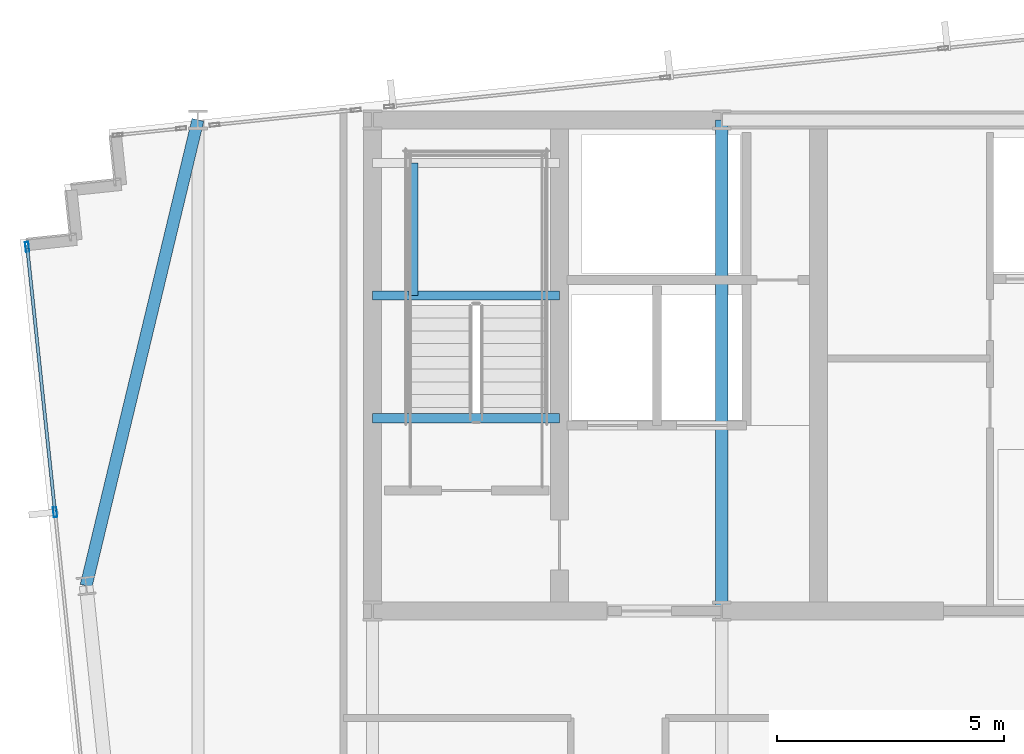
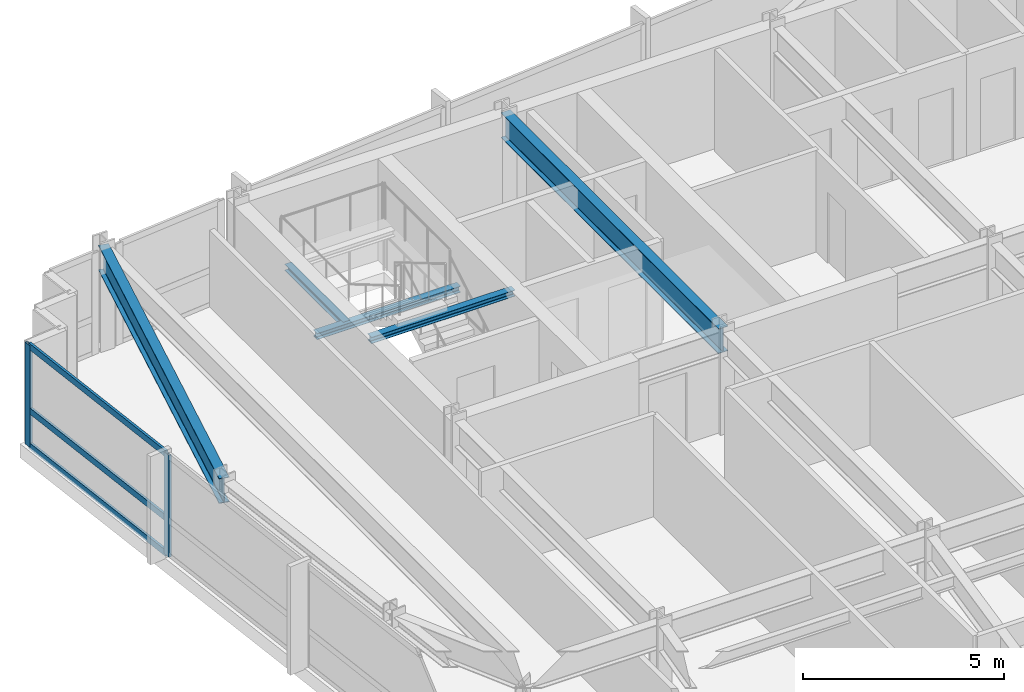
# One storey, part 8 of 26: 5 beams, 5 members, 1 element without a shape of its own.
"""IFC4 building model written with IfcOpenShell, lengths in metres."""

import ifcopenshell
import ifcopenshell.guid

model = None  # the IFC model being written
_history = None  # IfcOwnerHistory: only IFC2X3 demands one
_inside = {}  # id of a spatial element -> (the spatial element, [elements in it])
_under = {}  # id of a project, library or spatial element -> (it, [spatial elements below it])
_declared = {}  # id of a project -> (the project, [libraries it declares])
_typed = {}  # id of a type object -> (the type object, [elements of that type])
_made_of = {}  # id of a material, layer set ... -> (it, [elements and type objects made of it])


def new_model(schema):
    """Start an empty IFC model of exactly this schema.

    Asked for "IFC4X3", IfcOpenShell would pick the latest addendum, in which some entities
    have other attributes; the version numbers below select the first issue.
    IFC2X3 requires an IfcOwnerHistory on every rooted entity: one is made here for all.
    """
    global model, _history
    if schema == "IFC4X3":
        model = ifcopenshell.file(schema_version=(4, 3, 0, 0))
    else:
        model = ifcopenshell.file(schema=schema)
    _inside.clear()
    _under.clear()
    _declared.clear()
    _typed.clear()
    _made_of.clear()
    _history = None
    if model.schema == "IFC2X3":
        org = make("IfcOrganization", Name="unknown")
        user = make(
            "IfcPersonAndOrganization",
            ThePerson=make("IfcPerson", FamilyName="unknown"),
            TheOrganization=org,
        )
        app = make(
            "IfcApplication",
            ApplicationDeveloper=org,
            Version="unknown",
            ApplicationFullName="unknown",
            ApplicationIdentifier="unknown",
        )
        _history = make(
            "IfcOwnerHistory",
            OwningUser=user,
            OwningApplication=app,
            ChangeAction="ADDED",
            CreationDate=0,
        )
    return model


def make(cls, **values):
    """One entity of the class cls with the attributes given. An attribute that is None is left unset."""
    return model.create_entity(
        cls, **{name: value for name, value in values.items() if value is not None}
    )


def rooted(cls, **values):
    """An entity with a GlobalId (a new one), such as an element, a storey or a relation."""
    return make(cls, GlobalId=ifcopenshell.guid.new(), OwnerHistory=_history, **values)


def si_unit(unit_type, name, prefix=None):
    """IfcSIUnit, for example si_unit("LENGTHUNIT", "METRE", prefix="MILLI")."""
    return make("IfcSIUnit", UnitType=unit_type, Prefix=prefix, Name=name)


def assignment(units):
    """IfcUnitAssignment: the units of a project."""
    return None if units is None else make("IfcUnitAssignment", Units=units)


def point(xyz):
    """IfcCartesianPoint."""
    return None if xyz is None else make("IfcCartesianPoint", Coordinates=xyz)


def direction(xyz):
    """IfcDirection."""
    return None if xyz is None else make("IfcDirection", DirectionRatios=xyz)


def frame(location, z_axis=None, x_axis=None):
    """IfcAxis2Placement3D, a coordinate frame: its origin and axes. An axis left out is left unset."""
    return make(
        "IfcAxis2Placement3D",
        Location=point(location),
        Axis=direction(z_axis),
        RefDirection=direction(x_axis),
    )


def frame_2d(location, x_axis=None):
    """IfcAxis2Placement2D, a coordinate frame in the plane: its origin and x axis."""
    return make(
        "IfcAxis2Placement2D", Location=point(location), RefDirection=direction(x_axis)
    )


def origin():
    """The frame at (0, 0, 0) with its axes left unset."""
    return frame((0.0, 0.0, 0.0))


def origin_2d():
    """The frame at (0, 0) in the plane with its x axis left unset."""
    return frame_2d((0.0, 0.0))


def place(relative_to, where):
    """IfcLocalPlacement: puts the frame where relative to a parent placement (None: the world)."""
    return make(
        "IfcLocalPlacement", PlacementRelTo=relative_to, RelativePlacement=where
    )


def context(
    kind, dimensions, precision=None, world=None, true_north=None, identifier=None
):
    """IfcGeometricRepresentationContext, for example the 3D "Model" context."""
    return make(
        "IfcGeometricRepresentationContext",
        ContextIdentifier=identifier,
        ContextType=kind,
        CoordinateSpaceDimension=dimensions,
        Precision=precision,
        WorldCoordinateSystem=world,
        TrueNorth=true_north,
    )


def subcontext(parent, identifier, kind, view, scale=None):
    """IfcGeometricRepresentationSubContext, for example "Body" below "Model"."""
    return make(
        "IfcGeometricRepresentationSubContext",
        ContextIdentifier=identifier,
        ContextType=kind,
        ParentContext=parent,
        TargetScale=scale,
        TargetView=view,
    )


def project(units=None, contexts=None):
    """IfcProject with its units and contexts."""
    return rooted(
        "IfcProject",
        Name="project",
        RepresentationContexts=contexts,
        UnitsInContext=assignment(units),
    )


def spatial(cls, under=None, at=None, **own):
    """A site, building, storey or space (cls), placed at a placement, below another one or the project."""
    s = rooted(cls, ObjectPlacement=at, **own)
    if under is not None:
        _under.setdefault(under.id(), (under, []))[1].append(s)
    return s


def profile(cls, at=None, kind="AREA", **sizes):
    """A parametric profile (cls). Its sizes go by their IFC names, for example OverallWidth=200.0."""
    return make(cls, ProfileType=kind, Position=at, **sizes)


def hollow_rectangle(**sizes):
    """IfcRectangleHollowProfileDef."""
    return profile("IfcRectangleHollowProfileDef", **sizes)


def i_section(**sizes):
    """IfcIShapeProfileDef."""
    return profile("IfcIShapeProfileDef", **sizes)


def extrude(swept, where, along, depth):
    """IfcExtrudedAreaSolid: the profile swept, set in the frame where, extruded along a direction by depth."""
    return make(
        "IfcExtrudedAreaSolid",
        SweptArea=swept,
        Position=where,
        ExtrudedDirection=direction(along),
        Depth=depth,
    )


def shape(context_of_items, identifier, shape_type, items):
    """IfcShapeRepresentation: the items that make up one representation, for example the "Body"."""
    return make(
        "IfcShapeRepresentation",
        ContextOfItems=context_of_items,
        RepresentationIdentifier=identifier,
        RepresentationType=shape_type,
        Items=items,
    )


def material(Name=None, Category=None):
    """IfcMaterial."""
    return make("IfcMaterial", Name=Name, Category=Category)


def material_profile(
    of_material, cross_section, Name=None, Category=None, Priority=None
):
    """IfcMaterialProfile: a cross section and its material."""
    return make(
        "IfcMaterialProfile",
        Name=Name,
        Material=of_material,
        Profile=cross_section,
        Priority=Priority,
        Category=Category,
    )


def profile_set(profiles, Name=None, composite=None):
    """IfcMaterialProfileSet."""
    return make(
        "IfcMaterialProfileSet",
        Name=Name,
        MaterialProfiles=profiles,
        CompositeProfile=composite,
    )


def made_of(thing, what):
    """Note that an element or type object is made of a material, layer set ...; save() writes the relation."""
    if what is not None:
        _made_of.setdefault(what.id(), (what, []))[1].append(thing)
    return thing


def type_object(cls, material=None, **own):
    """A type object (cls), such as IfcWallType, which elements share."""
    return made_of(rooted(cls, **own), material)


def element(
    cls,
    number,
    at=None,
    inside=None,
    cuts=None,
    type_object=None,
    material=None,
    context=None,
    identifier="Body",
    shape_type=None,
    held_by="IfcProductDefinitionShape",
    body=None,
    shapes=None,
    **own,
):
    """One element of the class cls, such as IfcWall. Its Tag is "e" and its number.

    at: its placement. inside: the storey or other place that contains it. cuts: it is an
    opening in that element (IfcRelVoidsElement). A single representation is given by context,
    identifier, shape_type and body (its items); several are given by shapes. held_by: the class
    of the entity that holds the representations. save() writes the other relations.
    """
    e = rooted(cls, Tag="e%d" % number, ObjectPlacement=at, **own)
    if body is not None:
        shapes = [shape(context, identifier, shape_type, body)]
    if shapes is not None:
        e.Representation = make(held_by, Representations=shapes)
    if inside is not None:
        _inside.setdefault(inside.id(), (inside, []))[1].append(e)
    if cuts is not None:
        rooted(
            "IfcRelVoidsElement", RelatingBuildingElement=cuts, RelatedOpeningElement=e
        )
    if type_object is not None:
        _typed.setdefault(type_object.id(), (type_object, []))[1].append(e)
    return made_of(e, material)


def aggregate(whole, parts):
    """IfcRelAggregates: a whole, such as a stair, and the parts it consists of."""
    return rooted("IfcRelAggregates", RelatingObject=whole, RelatedObjects=parts)


def save(model, path):
    """Write the relations noted so far, then the file.

    IfcRelAggregates (storeys below a building ...), IfcRelContainedInSpatialStructure (elements
    in a storey), IfcRelDefinesByType, IfcRelAssociatesMaterial and IfcRelDeclares: one each for
    every whole, place, type object, material and project.
    """
    for whole, parts in _under.values():
        aggregate(whole, parts)
    for where, things in _inside.values():
        rooted(
            "IfcRelContainedInSpatialStructure",
            RelatedElements=things,
            RelatingStructure=where,
        )
    for kind, things in _typed.values():
        rooted("IfcRelDefinesByType", RelatedObjects=things, RelatingType=kind)
    for what, things in _made_of.values():
        rooted("IfcRelAssociatesMaterial", RelatedObjects=things, RelatingMaterial=what)
    for by, libraries in _declared.values():
        rooted("IfcRelDeclares", RelatingContext=by, RelatedDefinitions=libraries)
    model.write(path)


model = new_model("IFC4")

# Units and contexts
model_context = context("Model", 3, precision=1e-05, world=origin(), true_north=direction((0.0, 1.0)))
body_context = subcontext(model_context, "Body", "Model", "MODEL_VIEW")
ifc_project = project(units=[si_unit("LENGTHUNIT", "METRE"), si_unit("AREAUNIT", "SQUARE_METRE"), si_unit("VOLUMEUNIT", "CUBIC_METRE"), si_unit("PLANEANGLEUNIT", "RADIAN"), si_unit("MASSUNIT", "GRAM", prefix="KILO")], contexts=[model_context])

# Site, building, storey
site_placement = place(None, origin())
site = spatial("IfcSite", under=ifc_project, at=site_placement, CompositionType="ELEMENT")
building_placement = place(site_placement, origin())
building = spatial("IfcBuilding", under=site, at=building_placement, Name="Yelkora Congress Tower", CompositionType="ELEMENT")
storey_placement = place(building_placement, frame((0.0, 0.0, 204.5)))
storey = spatial("IfcBuildingStorey", under=building, at=storey_placement, Name="L56", CompositionType="ELEMENT", Elevation=204.5)

# Beams
ifc_material_1 = material(Name="Steel S355J2", Category="steel")
ifc_material_profile_1 = material_profile(ifc_material_1, i_section(OverallWidth=0.26708984375, OverallDepth=0.761962890625, WebThickness=0.014404296875, FlangeThickness=0.021484375, FilletRadius=0.01708984375, at=origin_2d()), Name="IPE 750x173")
ifc_profile_set_1 = profile_set([ifc_material_profile_1], Name="Steel S355J2")
beam_type_1 = type_object("IfcBeamType", Name="BM-GIRD-IPE750", PredefinedType="BEAM", material=ifc_profile_set_1)
beam_1_placement = place(storey_placement, frame((30.719970703125, 35.39990234375, 2.698974609375), z_axis=(0.0, 1.0, 0.0), x_axis=(-1.0, 0.0, 0.0)))
element("IfcBeam", 1, at=beam_1_placement, inside=storey, type_object=beam_type_1, Name="L56 Core Tie Girder MC-S2", PredefinedType="BEAM", context=body_context, shape_type="SweptSolid", body=[
    extrude(i_section(OverallWidth=0.26708984375, OverallDepth=0.761962890625, WebThickness=0.014404296875, FlangeThickness=0.021484375, FilletRadius=0.01708984375, at=origin_2d()), origin(), (0.0, 0.0, 1.0), 10.800048828125),
])
beam_2_placement = place(storey_placement, frame((16.7412109375, 35.95458984375, 2.698974609375), z_axis=(0.233359806768, 0.972390456856, 0.0), x_axis=(-0.972390456856, 0.233359806768, 0.0)))
element("IfcBeam", 2, at=beam_2_placement, inside=storey, type_object=beam_type_1, Name="L56 Primary Frame Girder W03", PredefinedType="BEAM", context=body_context, shape_type="SweptSolid", body=[
    extrude(i_section(OverallWidth=0.26708984375, OverallDepth=0.761962890625, WebThickness=0.014404296875, FlangeThickness=0.021484375, FilletRadius=0.01708984375, at=origin_2d()), origin(), (0.0, 0.0, 1.0), 10.536376953125),
])
ifc_material_profile_2 = material_profile(ifc_material_1, i_section(OverallWidth=0.199951171875, OverallDepth=0.18994140625, WebThickness=0.006591796875, FlangeThickness=0.010009765625, FilletRadius=0.01806640625, at=origin_2d()), Name="HEA 200")
ifc_profile_set_2 = profile_set([ifc_material_profile_2], Name="Steel S355J2")
beam_type_2 = type_object("IfcBeamType", Name="BM-LAND-HEA200", PredefinedType="BEAM", material=ifc_profile_set_2)
beam_3_placement = place(storey_placement, frame((23.0400390625, 42.340087890625, 1.334716796875), z_axis=(1.0, 0.0, 0.0), x_axis=(0.0, 1.0, 0.0)))
element("IfcBeam", 3, at=beam_3_placement, inside=storey, type_object=beam_type_2, Name="ST-01 L56 Landing Header Beam 1S", PredefinedType="BEAM", context=body_context, shape_type="SweptSolid", body=[
    extrude(i_section(OverallWidth=0.199951171875, OverallDepth=0.18994140625, WebThickness=0.006591796875, FlangeThickness=0.010009765625, FilletRadius=0.01806640625, at=origin_2d()), origin(), (0.0, 0.0, 1.0), 4.10986328125),
])
beam_4_placement = place(storey_placement, frame((23.93994140625, 42.340087890625, 1.334716796875), z_axis=(0.0, 1.0, 0.0), x_axis=(-1.0, 0.0, 0.0)))
element("IfcBeam", 4, at=beam_4_placement, inside=storey, type_object=beam_type_2, Name="ST-01 L56 Landing Trimmer Beam 1M", PredefinedType="BEAM", context=body_context, shape_type="SweptSolid", body=[
    extrude(i_section(OverallWidth=0.199951171875, OverallDepth=0.18994140625, WebThickness=0.006591796875, FlangeThickness=0.010009765625, FilletRadius=0.01806640625, at=origin_2d()), origin(), (0.0, 0.0, 1.0), 2.909912109375),
])
beam_5_placement = place(storey_placement, frame((23.0400390625, 39.639892578125, 2.85400390625), z_axis=(1.0, 0.0, 0.0), x_axis=(0.0, 1.0, 0.0)))
element("IfcBeam", 5, at=beam_5_placement, inside=storey, type_object=beam_type_2, Name="ST-01 L56 Floor Arrival Stringer Header Beam", PredefinedType="BEAM", context=body_context, shape_type="SweptSolid", body=[
    extrude(i_section(OverallWidth=0.199951171875, OverallDepth=0.18994140625, WebThickness=0.006591796875, FlangeThickness=0.010009765625, FilletRadius=0.01806640625, at=origin_2d()), origin(), (0.0, 0.0, 1.0), 4.10986328125),
])

# Curtain wall, members
ifc_material_2 = material(Name="Anodised aluminium and insulated glass", Category="aluminium")
curtain_wall_type = type_object("IfcCurtainWallType", Name="CW-SYS-SKY", PredefinedType="NOTDEFINED", material=ifc_material_2)
curtain_wall_placement = place(storey_placement, origin())
curtain_wall = element("IfcCurtainWall", 6, at=curtain_wall_placement, inside=storey, type_object=curtain_wall_type, Name="L56 Unitised Curtain Wall 5", PredefinedType="NOTDEFINED")
ifc_material_3 = material(Name="Anodised aluminium 6063-T6", Category="aluminium")
ifc_material_profile_3 = material_profile(ifc_material_3, hollow_rectangle(XDim=0.074951171875, YDim=0.219970703125, WallThickness=0.0048828125, at=origin_2d()), Name="ALU 75x220x5")
ifc_profile_set_3 = profile_set([ifc_material_profile_3], Name="Anodised aluminium 6063-T6")
member_type_1 = type_object("IfcMemberType", Name="MEM-ML-SKY", PredefinedType="MULLION", material=ifc_profile_set_3)
member_1_placement = place(storey_placement, frame((16.05810546875, 37.572998046875, 0.0), z_axis=(0.0, 0.0, 1.0), x_axis=(-0.994522145958, -0.104526079034, 0.0)))
member_1 = element("IfcMember", 7, at=member_1_placement, type_object=member_type_1, Name="CW-SKY mullion 5", PredefinedType="MULLION", context=body_context, shape_type="SweptSolid", body=[
    extrude(hollow_rectangle(XDim=0.074951171875, YDim=0.219970703125, WallThickness=0.0048828125, at=origin_2d()), origin(), (0.0, 0.0, 1.0), 3.080078125),
])
member_2_placement = place(storey_placement, frame((15.445068359375, 43.407470703125, 0.0), z_axis=(0.0, 0.0, 1.0), x_axis=(-0.994522145958, -0.104526079034, 0.0)))
member_2 = element("IfcMember", 8, at=member_2_placement, type_object=member_type_1, Name="CW-SKY mullion 6", PredefinedType="MULLION", context=body_context, shape_type="SweptSolid", body=[
    extrude(hollow_rectangle(XDim=0.074951171875, YDim=0.219970703125, WallThickness=0.0048828125, at=origin_2d()), origin(), (0.0, 0.0, 1.0), 3.080078125),
])
ifc_material_profile_4 = material_profile(ifc_material_3, hollow_rectangle(XDim=0.070068359375, YDim=0.18994140625, WallThickness=0.00390625, at=origin_2d()), Name="ALU 70x190x4")
ifc_profile_set_4 = profile_set([ifc_material_profile_4], Name="Anodised aluminium 6063-T6")
member_type_2 = type_object("IfcMemberType", Name="MEM-TR-SKY", PredefinedType="USERDEFINED", material=ifc_profile_set_4)
member_3_placement = place(storey_placement, frame((16.05419921875, 37.6103515625, 0.034912109375), z_axis=(-0.104502649359, 0.994524608181, 0.0), x_axis=(-0.994524608181, -0.104502649359, 0.0)))
member_3 = element("IfcMember", 9, at=member_3_placement, type_object=member_type_2, Name="CW-SKY transom 5.1", ObjectType="TRANSOM", PredefinedType="USERDEFINED", context=body_context, shape_type="SweptSolid", body=[
    extrude(hollow_rectangle(XDim=0.070068359375, YDim=0.18994140625, WallThickness=0.00390625, at=origin_2d()), origin(), (0.0, 0.0, 1.0), 5.79150390625),
])
member_4_placement = place(storey_placement, frame((16.05419921875, 37.6103515625, 1.10009765625), z_axis=(-0.104502649359, 0.994524608181, 0.0), x_axis=(-0.994524608181, -0.104502649359, 0.0)))
member_4 = element("IfcMember", 10, at=member_4_placement, type_object=member_type_2, Name="CW-SKY transom 5.2", ObjectType="TRANSOM", PredefinedType="USERDEFINED", context=body_context, shape_type="SweptSolid", body=[
    extrude(hollow_rectangle(XDim=0.070068359375, YDim=0.18994140625, WallThickness=0.00390625, at=origin_2d()), origin(), (0.0, 0.0, 1.0), 5.79150390625),
])
member_5_placement = place(storey_placement, frame((16.05419921875, 37.6103515625, 3.044921875), z_axis=(-0.104502649359, 0.994524608181, 0.0), x_axis=(-0.994524608181, -0.104502649359, 0.0)))
member_5 = element("IfcMember", 11, at=member_5_placement, type_object=member_type_2, Name="CW-SKY transom 5.3", ObjectType="TRANSOM", PredefinedType="USERDEFINED", context=body_context, shape_type="SweptSolid", body=[
    extrude(hollow_rectangle(XDim=0.070068359375, YDim=0.18994140625, WallThickness=0.00390625, at=origin_2d()), origin(), (0.0, 0.0, 1.0), 5.79150390625),
])
aggregate(curtain_wall, [member_1, member_2, member_3, member_4, member_5])

save(model, "model.ifc")
